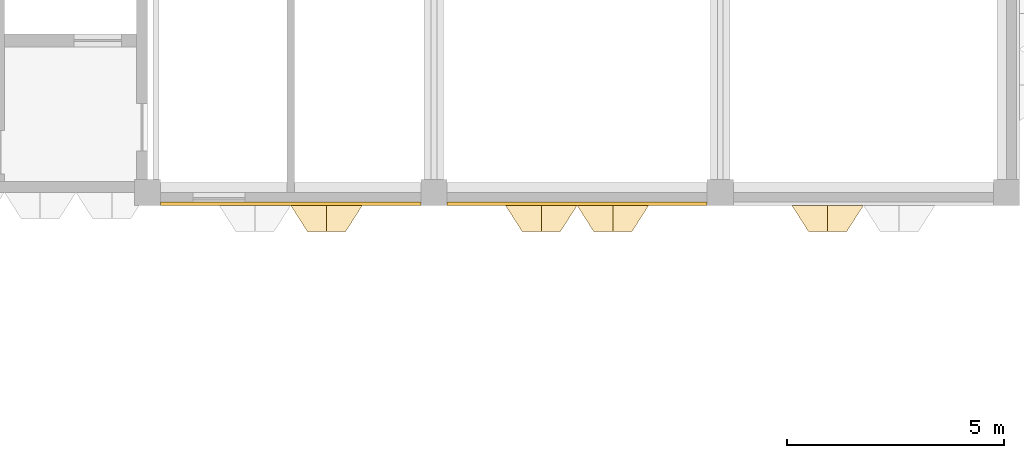
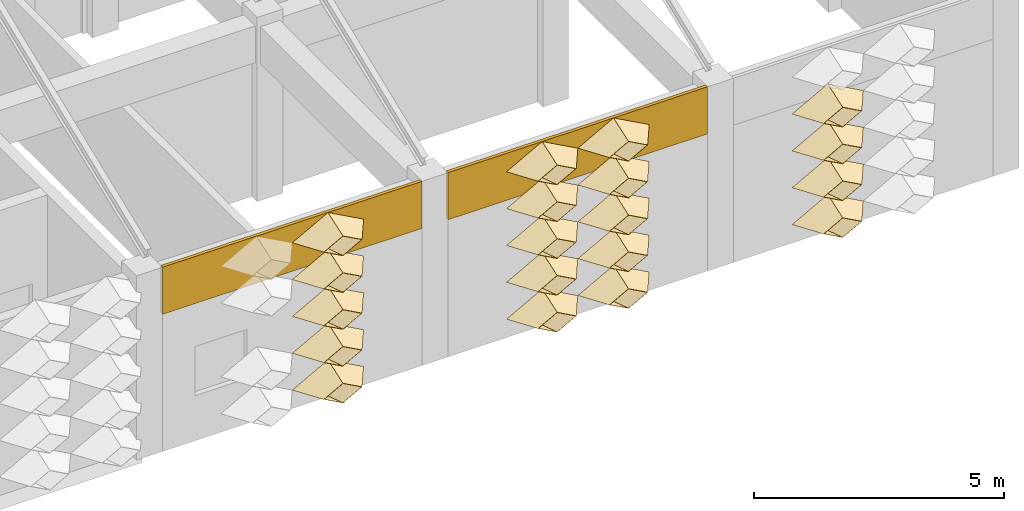
# One storey, part 71 of 102: 21 coverings.
"""IFC4 building model written with IfcOpenShell, lengths in metres."""

import ifcopenshell
import ifcopenshell.guid

model = None  # the IFC model being written
_history = None  # IfcOwnerHistory: only IFC2X3 demands one
_inside = {}  # id of a spatial element -> (the spatial element, [elements in it])
_under = {}  # id of a project, library or spatial element -> (it, [spatial elements below it])
_declared = {}  # id of a project -> (the project, [libraries it declares])
_typed = {}  # id of a type object -> (the type object, [elements of that type])
_made_of = {}  # id of a material, layer set ... -> (it, [elements and type objects made of it])


def new_model(schema):
    """Start an empty IFC model of exactly this schema.

    Asked for "IFC4X3", IfcOpenShell would pick the latest addendum, in which some entities
    have other attributes; the version numbers below select the first issue.
    IFC2X3 requires an IfcOwnerHistory on every rooted entity: one is made here for all.
    """
    global model, _history
    if schema == "IFC4X3":
        model = ifcopenshell.file(schema_version=(4, 3, 0, 0))
    else:
        model = ifcopenshell.file(schema=schema)
    _inside.clear()
    _under.clear()
    _declared.clear()
    _typed.clear()
    _made_of.clear()
    _history = None
    if model.schema == "IFC2X3":
        org = make("IfcOrganization", Name="unknown")
        user = make(
            "IfcPersonAndOrganization",
            ThePerson=make("IfcPerson", FamilyName="unknown"),
            TheOrganization=org,
        )
        app = make(
            "IfcApplication",
            ApplicationDeveloper=org,
            Version="unknown",
            ApplicationFullName="unknown",
            ApplicationIdentifier="unknown",
        )
        _history = make(
            "IfcOwnerHistory",
            OwningUser=user,
            OwningApplication=app,
            ChangeAction="ADDED",
            CreationDate=0,
        )
    return model


def make(cls, **values):
    """One entity of the class cls with the attributes given. An attribute that is None is left unset."""
    return model.create_entity(
        cls, **{name: value for name, value in values.items() if value is not None}
    )


def entity(cls, *values):
    """Any entity or typed value of the class cls, its attributes in the order of the schema. None: left unset."""
    e = model.create_entity(cls)
    for i, value in enumerate(values):
        if value is not None:
            e[i] = value
    return e


def rooted(cls, **values):
    """An entity with a GlobalId (a new one), such as an element, a storey or a relation."""
    return make(cls, GlobalId=ifcopenshell.guid.new(), OwnerHistory=_history, **values)


def si_unit(unit_type, name, prefix=None):
    """IfcSIUnit, for example si_unit("LENGTHUNIT", "METRE", prefix="MILLI")."""
    return make("IfcSIUnit", UnitType=unit_type, Prefix=prefix, Name=name)


def assignment(units):
    """IfcUnitAssignment: the units of a project."""
    return None if units is None else make("IfcUnitAssignment", Units=units)


def point(xyz):
    """IfcCartesianPoint."""
    return None if xyz is None else make("IfcCartesianPoint", Coordinates=xyz)


def direction(xyz):
    """IfcDirection."""
    return None if xyz is None else make("IfcDirection", DirectionRatios=xyz)


def frame(location, z_axis=None, x_axis=None):
    """IfcAxis2Placement3D, a coordinate frame: its origin and axes. An axis left out is left unset."""
    return make(
        "IfcAxis2Placement3D",
        Location=point(location),
        Axis=direction(z_axis),
        RefDirection=direction(x_axis),
    )


def frame_2d(location, x_axis=None):
    """IfcAxis2Placement2D, a coordinate frame in the plane: its origin and x axis."""
    return make(
        "IfcAxis2Placement2D", Location=point(location), RefDirection=direction(x_axis)
    )


def origin():
    """The frame at (0, 0, 0) with its axes left unset."""
    return frame((0.0, 0.0, 0.0))


def place(relative_to, where):
    """IfcLocalPlacement: puts the frame where relative to a parent placement (None: the world)."""
    return make(
        "IfcLocalPlacement", PlacementRelTo=relative_to, RelativePlacement=where
    )


def context(
    kind, dimensions, precision=None, world=None, true_north=None, identifier=None
):
    """IfcGeometricRepresentationContext, for example the 3D "Model" context."""
    return make(
        "IfcGeometricRepresentationContext",
        ContextIdentifier=identifier,
        ContextType=kind,
        CoordinateSpaceDimension=dimensions,
        Precision=precision,
        WorldCoordinateSystem=world,
        TrueNorth=true_north,
    )


def subcontext(parent, identifier, kind, view, scale=None):
    """IfcGeometricRepresentationSubContext, for example "Body" below "Model"."""
    return make(
        "IfcGeometricRepresentationSubContext",
        ContextIdentifier=identifier,
        ContextType=kind,
        ParentContext=parent,
        TargetScale=scale,
        TargetView=view,
    )


def project(units=None, contexts=None):
    """IfcProject with its units and contexts."""
    return rooted(
        "IfcProject",
        Name="project",
        RepresentationContexts=contexts,
        UnitsInContext=assignment(units),
    )


def spatial(cls, under=None, at=None, **own):
    """A site, building, storey or space (cls), placed at a placement, below another one or the project."""
    s = rooted(cls, ObjectPlacement=at, **own)
    if under is not None:
        _under.setdefault(under.id(), (under, []))[1].append(s)
    return s


def profile(cls, at=None, kind="AREA", **sizes):
    """A parametric profile (cls). Its sizes go by their IFC names, for example OverallWidth=200.0."""
    return make(cls, ProfileType=kind, Position=at, **sizes)


def rectangle(**sizes):
    """IfcRectangleProfileDef."""
    return profile("IfcRectangleProfileDef", **sizes)


def extrude(swept, where, along, depth):
    """IfcExtrudedAreaSolid: the profile swept, set in the frame where, extruded along a direction by depth."""
    return make(
        "IfcExtrudedAreaSolid",
        SweptArea=swept,
        Position=where,
        ExtrudedDirection=direction(along),
        Depth=depth,
    )


def shape(context_of_items, identifier, shape_type, items):
    """IfcShapeRepresentation: the items that make up one representation, for example the "Body"."""
    return make(
        "IfcShapeRepresentation",
        ContextOfItems=context_of_items,
        RepresentationIdentifier=identifier,
        RepresentationType=shape_type,
        Items=items,
    )


def material(Name=None, Category=None):
    """IfcMaterial."""
    return make("IfcMaterial", Name=Name, Category=Category)


def layer(
    of_material, thickness, ventilated=None, Name=None, Category=None, Priority=None
):
    """IfcMaterialLayer: one layer of a wall or slab, of a material (None: an air gap)."""
    return make(
        "IfcMaterialLayer",
        Material=of_material,
        LayerThickness=thickness,
        IsVentilated=ventilated,
        Name=Name,
        Category=Category,
        Priority=Priority,
    )


def layer_set(layers, Name=None):
    """IfcMaterialLayerSet."""
    return make("IfcMaterialLayerSet", MaterialLayers=layers, LayerSetName=Name)


def made_of(thing, what):
    """Note that an element or type object is made of a material, layer set ...; save() writes the relation."""
    if what is not None:
        _made_of.setdefault(what.id(), (what, []))[1].append(thing)
    return thing


def type_object(cls, material=None, **own):
    """A type object (cls), such as IfcWallType, which elements share."""
    return made_of(rooted(cls, **own), material)


def element(
    cls,
    number,
    at=None,
    inside=None,
    cuts=None,
    type_object=None,
    material=None,
    context=None,
    identifier="Body",
    shape_type=None,
    held_by="IfcProductDefinitionShape",
    body=None,
    shapes=None,
    **own,
):
    """One element of the class cls, such as IfcWall. Its Tag is "e" and its number.

    at: its placement. inside: the storey or other place that contains it. cuts: it is an
    opening in that element (IfcRelVoidsElement). A single representation is given by context,
    identifier, shape_type and body (its items); several are given by shapes. held_by: the class
    of the entity that holds the representations. save() writes the other relations.
    """
    e = rooted(cls, Tag="e%d" % number, ObjectPlacement=at, **own)
    if body is not None:
        shapes = [shape(context, identifier, shape_type, body)]
    if shapes is not None:
        e.Representation = make(held_by, Representations=shapes)
    if inside is not None:
        _inside.setdefault(inside.id(), (inside, []))[1].append(e)
    if cuts is not None:
        rooted(
            "IfcRelVoidsElement", RelatingBuildingElement=cuts, RelatedOpeningElement=e
        )
    if type_object is not None:
        _typed.setdefault(type_object.id(), (type_object, []))[1].append(e)
    return made_of(e, material)


def aggregate(whole, parts):
    """IfcRelAggregates: a whole, such as a stair, and the parts it consists of."""
    return rooted("IfcRelAggregates", RelatingObject=whole, RelatedObjects=parts)


def save(model, path):
    """Write the relations noted so far, then the file.

    IfcRelAggregates (storeys below a building ...), IfcRelContainedInSpatialStructure (elements
    in a storey), IfcRelDefinesByType, IfcRelAssociatesMaterial and IfcRelDeclares: one each for
    every whole, place, type object, material and project.
    """
    for whole, parts in _under.values():
        aggregate(whole, parts)
    for where, things in _inside.values():
        rooted(
            "IfcRelContainedInSpatialStructure",
            RelatedElements=things,
            RelatingStructure=where,
        )
    for kind, things in _typed.values():
        rooted("IfcRelDefinesByType", RelatedObjects=things, RelatingType=kind)
    for what, things in _made_of.values():
        rooted("IfcRelAssociatesMaterial", RelatedObjects=things, RelatingMaterial=what)
    for by, libraries in _declared.values():
        rooted("IfcRelDeclares", RelatingContext=by, RelatedDefinitions=libraries)
    model.write(path)


model = new_model("IFC4")

# Units and contexts
model_context = context("Model", 3, precision=1e-05, world=origin(), true_north=direction((0.0, 1.0)))
body_context = subcontext(model_context, "Body", "Model", "MODEL_VIEW")
ifc_project = project(units=[si_unit("LENGTHUNIT", "METRE"), si_unit("AREAUNIT", "SQUARE_METRE"), si_unit("VOLUMEUNIT", "CUBIC_METRE"), si_unit("PLANEANGLEUNIT", "RADIAN"), si_unit("MASSUNIT", "GRAM", prefix="KILO")], contexts=[model_context])

# Site, building, storey
site_placement = place(None, origin())
site = spatial("IfcSite", under=ifc_project, at=site_placement, CompositionType="ELEMENT")
building_placement = place(site_placement, origin())
building = spatial("IfcBuilding", under=site, at=building_placement, Name="Lantern Court Research Institute", CompositionType="ELEMENT")
storey_placement = place(building_placement, frame((0.0, 0.0, 9.89990234375)))
storey = spatial("IfcBuildingStorey", under=building, at=storey_placement, Name="L02", CompositionType="ELEMENT", Elevation=9.89990234375)

# Coverings
ifc_material_1 = material(Name="Aluminium composite panel with mineral wool insulation", Category="aluminium")
ifc_layer_1 = layer(ifc_material_1, 0.074951171875)
ifc_layer_set_1 = layer_set([ifc_layer_1], Name="Aluminium composite panel with mineral wool insulation")
covering_type_1 = type_object("IfcCoveringType", Name="Edge fascia panel 75 aluminium faced", PredefinedType="CLADDING", material=ifc_layer_set_1)
for number, where, z_axis, x_axis, name in (
    (1, (12.89990234375, 49.237548828125, 3.35009765625), (0.0, 0.0, 1.0), (-1.0, 0.0, 0.0), "Edge fascia V3S L02 01"),
    (2, (19.5, 49.237548828125, 3.35009765625), (0.0, 0.0, 1.0), (-1.0, 0.0, 0.0), "Edge fascia V3S L02 02"),
):
    element("IfcCovering", number, at=place(storey_placement, frame(where, z_axis=z_axis, x_axis=x_axis)), inside=storey, type_object=covering_type_1, Name=name, PredefinedType="CLADDING", context=body_context, shape_type="SweptSolid", body=[
        extrude(rectangle(XDim=6.0, YDim=0.074951171875, at=frame_2d((3.0, 0.0))), origin(), (0.0, 0.0, 1.0), 1.14990234375),
    ])
ifc_material_2 = material(Name="Anodised aluminium", Category="aluminium")
ifc_layer_2 = layer(ifc_material_2, 0.01611328125)
ifc_layer_set_2 = layer_set([ifc_layer_2], Name="Anodised aluminium")
covering_type_2 = type_object("IfcCoveringType", Name="Fin cassette 1650 x 900 x 600 aluminium", PredefinedType="CLADDING", material=ifc_layer_set_2)
covering_1_placement = place(storey_placement, frame((10.72509765625, 49.199951171875, 0.4501953125), z_axis=(0.0, -1.0, 0.0), x_axis=(1.0, 0.0, 0.0)))
cartesian_point_1 = entity("IfcCartesianPoint", [0.824951171875, 0.0])
cartesian_point_2 = entity("IfcCartesianPoint", [0.79150390625, 0.0])
cartesian_point_3 = entity("IfcCartesianPoint", [0.44189453125, 0.0])
cartesian_point_4 = entity("IfcCartesianPoint", [0.43359375, 0.0])
element("IfcCovering", 3, at=covering_1_placement, inside=storey, type_object=covering_type_2, Name="Fin cassette V3S-L02 1.7", PredefinedType="CLADDING", context=body_context, shape_type="SweptSolid", body=[
    entity("IfcExtrudedAreaSolidTapered", entity("IfcArbitraryProfileDefWithVoids", "AREA", None, entity("IfcPolyline", [cartesian_point_1, entity("IfcCartesianPoint", [0.0, 0.449951171875]), entity("IfcCartesianPoint", [-0.824951171875, 0.0]), entity("IfcCartesianPoint", [0.0, -0.449951171875]), cartesian_point_1]), [entity("IfcPolyline", [cartesian_point_2, entity("IfcCartesianPoint", [0.0, 0.431884765625]), entity("IfcCartesianPoint", [-0.79150390625, 0.0]), entity("IfcCartesianPoint", [0.0, -0.431884765625]), cartesian_point_2])]), entity("IfcAxis2Placement3D", entity("IfcCartesianPoint", [0.0, 0.0, 0.0])), entity("IfcDirection", [0.0, 0.0, 1.0]), 0.60009765625, entity("IfcArbitraryProfileDefWithVoids", "AREA", None, entity("IfcPolyline", [cartesian_point_3, entity("IfcCartesianPoint", [0.0, 0.240966796875]), entity("IfcCartesianPoint", [-0.44189453125, 0.0]), entity("IfcCartesianPoint", [0.0, -0.240966796875]), cartesian_point_3]), [entity("IfcPolyline", [cartesian_point_4, entity("IfcCartesianPoint", [0.0, 0.236572265625]), entity("IfcCartesianPoint", [-0.43359375, 0.0]), entity("IfcCartesianPoint", [0.0, -0.236572265625]), cartesian_point_4])])),
])
covering_2_placement = place(storey_placement, frame((15.675048828125, 49.199951171875, 0.4501953125), z_axis=(0.0, -1.0, 0.0), x_axis=(1.0, 0.0, 0.0)))
cartesian_point_5 = entity("IfcCartesianPoint", [0.824951171875, 0.0])
cartesian_point_6 = entity("IfcCartesianPoint", [0.79150390625, 0.0])
cartesian_point_7 = entity("IfcCartesianPoint", [0.44189453125, 0.0])
cartesian_point_8 = entity("IfcCartesianPoint", [0.43359375, 0.0])
element("IfcCovering", 4, at=covering_2_placement, inside=storey, type_object=covering_type_2, Name="Fin cassette V3S-L02 1.10", PredefinedType="CLADDING", context=body_context, shape_type="SweptSolid", body=[
    entity("IfcExtrudedAreaSolidTapered", entity("IfcArbitraryProfileDefWithVoids", "AREA", None, entity("IfcPolyline", [cartesian_point_5, entity("IfcCartesianPoint", [0.0, 0.449951171875]), entity("IfcCartesianPoint", [-0.824951171875, 0.0]), entity("IfcCartesianPoint", [0.0, -0.449951171875]), cartesian_point_5]), [entity("IfcPolyline", [cartesian_point_6, entity("IfcCartesianPoint", [0.0, 0.431884765625]), entity("IfcCartesianPoint", [-0.79150390625, 0.0]), entity("IfcCartesianPoint", [0.0, -0.431884765625]), cartesian_point_6])]), entity("IfcAxis2Placement3D", entity("IfcCartesianPoint", [0.0, 0.0, 0.0])), entity("IfcDirection", [0.0, 0.0, 1.0]), 0.60009765625, entity("IfcArbitraryProfileDefWithVoids", "AREA", None, entity("IfcPolyline", [cartesian_point_7, entity("IfcCartesianPoint", [0.0, 0.240966796875]), entity("IfcCartesianPoint", [-0.44189453125, 0.0]), entity("IfcCartesianPoint", [0.0, -0.240966796875]), cartesian_point_7]), [entity("IfcPolyline", [cartesian_point_8, entity("IfcCartesianPoint", [0.0, 0.236572265625]), entity("IfcCartesianPoint", [-0.43359375, 0.0]), entity("IfcCartesianPoint", [0.0, -0.236572265625]), cartesian_point_8])])),
])
covering_3_placement = place(storey_placement, frame((17.324951171875, 49.199951171875, 0.4501953125), z_axis=(0.0, -1.0, 0.0), x_axis=(1.0, 0.0, 0.0)))
cartesian_point_9 = entity("IfcCartesianPoint", [0.824951171875, 0.0])
cartesian_point_10 = entity("IfcCartesianPoint", [0.79150390625, 0.0])
cartesian_point_11 = entity("IfcCartesianPoint", [0.44189453125, 0.0])
cartesian_point_12 = entity("IfcCartesianPoint", [0.43359375, 0.0])
element("IfcCovering", 5, at=covering_3_placement, inside=storey, type_object=covering_type_2, Name="Fin cassette V3S-L02 1.11", PredefinedType="CLADDING", context=body_context, shape_type="SweptSolid", body=[
    entity("IfcExtrudedAreaSolidTapered", entity("IfcArbitraryProfileDefWithVoids", "AREA", None, entity("IfcPolyline", [cartesian_point_9, entity("IfcCartesianPoint", [0.0, 0.449951171875]), entity("IfcCartesianPoint", [-0.824951171875, 0.0]), entity("IfcCartesianPoint", [0.0, -0.449951171875]), cartesian_point_9]), [entity("IfcPolyline", [cartesian_point_10, entity("IfcCartesianPoint", [0.0, 0.431884765625]), entity("IfcCartesianPoint", [-0.79150390625, 0.0]), entity("IfcCartesianPoint", [0.0, -0.431884765625]), cartesian_point_10])]), entity("IfcAxis2Placement3D", entity("IfcCartesianPoint", [0.0, 0.0, 0.0])), entity("IfcDirection", [0.0, 0.0, 1.0]), 0.60009765625, entity("IfcArbitraryProfileDefWithVoids", "AREA", None, entity("IfcPolyline", [cartesian_point_11, entity("IfcCartesianPoint", [0.0, 0.240966796875]), entity("IfcCartesianPoint", [-0.44189453125, 0.0]), entity("IfcCartesianPoint", [0.0, -0.240966796875]), cartesian_point_11]), [entity("IfcPolyline", [cartesian_point_12, entity("IfcCartesianPoint", [0.0, 0.236572265625]), entity("IfcCartesianPoint", [-0.43359375, 0.0]), entity("IfcCartesianPoint", [0.0, -0.236572265625]), cartesian_point_12])])),
])
covering_4_placement = place(storey_placement, frame((22.27490234375, 49.199951171875, 0.4501953125), z_axis=(0.0, -1.0, 0.0), x_axis=(1.0, 0.0, 0.0)))
cartesian_point_13 = entity("IfcCartesianPoint", [0.824951171875, 0.0])
cartesian_point_14 = entity("IfcCartesianPoint", [0.79150390625, 0.0])
cartesian_point_15 = entity("IfcCartesianPoint", [0.44189453125, 0.0])
cartesian_point_16 = entity("IfcCartesianPoint", [0.43359375, 0.0])
element("IfcCovering", 6, at=covering_4_placement, inside=storey, type_object=covering_type_2, Name="Fin cassette V3S-L02 1.14", PredefinedType="CLADDING", context=body_context, shape_type="SweptSolid", body=[
    entity("IfcExtrudedAreaSolidTapered", entity("IfcArbitraryProfileDefWithVoids", "AREA", None, entity("IfcPolyline", [cartesian_point_13, entity("IfcCartesianPoint", [0.0, 0.449951171875]), entity("IfcCartesianPoint", [-0.824951171875, 0.0]), entity("IfcCartesianPoint", [0.0, -0.449951171875]), cartesian_point_13]), [entity("IfcPolyline", [cartesian_point_14, entity("IfcCartesianPoint", [0.0, 0.431884765625]), entity("IfcCartesianPoint", [-0.79150390625, 0.0]), entity("IfcCartesianPoint", [0.0, -0.431884765625]), cartesian_point_14])]), entity("IfcAxis2Placement3D", entity("IfcCartesianPoint", [0.0, 0.0, 0.0])), entity("IfcDirection", [0.0, 0.0, 1.0]), 0.60009765625, entity("IfcArbitraryProfileDefWithVoids", "AREA", None, entity("IfcPolyline", [cartesian_point_15, entity("IfcCartesianPoint", [0.0, 0.240966796875]), entity("IfcCartesianPoint", [-0.44189453125, 0.0]), entity("IfcCartesianPoint", [0.0, -0.240966796875]), cartesian_point_15]), [entity("IfcPolyline", [cartesian_point_16, entity("IfcCartesianPoint", [0.0, 0.236572265625]), entity("IfcCartesianPoint", [-0.43359375, 0.0]), entity("IfcCartesianPoint", [0.0, -0.236572265625]), cartesian_point_16])])),
])
covering_5_placement = place(storey_placement, frame((10.72509765625, 49.199951171875, 1.35009765625), z_axis=(0.0, -1.0, 0.0), x_axis=(1.0, 0.0, 0.0)))
cartesian_point_17 = entity("IfcCartesianPoint", [0.824951171875, 0.0])
cartesian_point_18 = entity("IfcCartesianPoint", [0.79150390625, 0.0])
cartesian_point_19 = entity("IfcCartesianPoint", [0.44189453125, 0.0])
cartesian_point_20 = entity("IfcCartesianPoint", [0.43359375, 0.0])
element("IfcCovering", 7, at=covering_5_placement, inside=storey, type_object=covering_type_2, Name="Fin cassette V3S-L02 2.7", PredefinedType="CLADDING", context=body_context, shape_type="SweptSolid", body=[
    entity("IfcExtrudedAreaSolidTapered", entity("IfcArbitraryProfileDefWithVoids", "AREA", None, entity("IfcPolyline", [cartesian_point_17, entity("IfcCartesianPoint", [0.0, 0.449951171875]), entity("IfcCartesianPoint", [-0.824951171875, 0.0]), entity("IfcCartesianPoint", [0.0, -0.449951171875]), cartesian_point_17]), [entity("IfcPolyline", [cartesian_point_18, entity("IfcCartesianPoint", [0.0, 0.431884765625]), entity("IfcCartesianPoint", [-0.79150390625, 0.0]), entity("IfcCartesianPoint", [0.0, -0.431884765625]), cartesian_point_18])]), entity("IfcAxis2Placement3D", entity("IfcCartesianPoint", [0.0, 0.0, 0.0])), entity("IfcDirection", [0.0, 0.0, 1.0]), 0.60009765625, entity("IfcArbitraryProfileDefWithVoids", "AREA", None, entity("IfcPolyline", [cartesian_point_19, entity("IfcCartesianPoint", [0.0, 0.240966796875]), entity("IfcCartesianPoint", [-0.44189453125, 0.0]), entity("IfcCartesianPoint", [0.0, -0.240966796875]), cartesian_point_19]), [entity("IfcPolyline", [cartesian_point_20, entity("IfcCartesianPoint", [0.0, 0.236572265625]), entity("IfcCartesianPoint", [-0.43359375, 0.0]), entity("IfcCartesianPoint", [0.0, -0.236572265625]), cartesian_point_20])])),
])
covering_6_placement = place(storey_placement, frame((15.675048828125, 49.199951171875, 1.35009765625), z_axis=(0.0, -1.0, 0.0), x_axis=(1.0, 0.0, 0.0)))
cartesian_point_21 = entity("IfcCartesianPoint", [0.824951171875, 0.0])
cartesian_point_22 = entity("IfcCartesianPoint", [0.79150390625, 0.0])
cartesian_point_23 = entity("IfcCartesianPoint", [0.44189453125, 0.0])
cartesian_point_24 = entity("IfcCartesianPoint", [0.43359375, 0.0])
element("IfcCovering", 8, at=covering_6_placement, inside=storey, type_object=covering_type_2, Name="Fin cassette V3S-L02 2.10", PredefinedType="CLADDING", context=body_context, shape_type="SweptSolid", body=[
    entity("IfcExtrudedAreaSolidTapered", entity("IfcArbitraryProfileDefWithVoids", "AREA", None, entity("IfcPolyline", [cartesian_point_21, entity("IfcCartesianPoint", [0.0, 0.449951171875]), entity("IfcCartesianPoint", [-0.824951171875, 0.0]), entity("IfcCartesianPoint", [0.0, -0.449951171875]), cartesian_point_21]), [entity("IfcPolyline", [cartesian_point_22, entity("IfcCartesianPoint", [0.0, 0.431884765625]), entity("IfcCartesianPoint", [-0.79150390625, 0.0]), entity("IfcCartesianPoint", [0.0, -0.431884765625]), cartesian_point_22])]), entity("IfcAxis2Placement3D", entity("IfcCartesianPoint", [0.0, 0.0, 0.0])), entity("IfcDirection", [0.0, 0.0, 1.0]), 0.60009765625, entity("IfcArbitraryProfileDefWithVoids", "AREA", None, entity("IfcPolyline", [cartesian_point_23, entity("IfcCartesianPoint", [0.0, 0.240966796875]), entity("IfcCartesianPoint", [-0.44189453125, 0.0]), entity("IfcCartesianPoint", [0.0, -0.240966796875]), cartesian_point_23]), [entity("IfcPolyline", [cartesian_point_24, entity("IfcCartesianPoint", [0.0, 0.236572265625]), entity("IfcCartesianPoint", [-0.43359375, 0.0]), entity("IfcCartesianPoint", [0.0, -0.236572265625]), cartesian_point_24])])),
])
covering_7_placement = place(storey_placement, frame((17.324951171875, 49.199951171875, 1.35009765625), z_axis=(0.0, -1.0, 0.0), x_axis=(1.0, 0.0, 0.0)))
cartesian_point_25 = entity("IfcCartesianPoint", [0.824951171875, 0.0])
cartesian_point_26 = entity("IfcCartesianPoint", [0.79150390625, 0.0])
cartesian_point_27 = entity("IfcCartesianPoint", [0.44189453125, 0.0])
cartesian_point_28 = entity("IfcCartesianPoint", [0.43359375, 0.0])
element("IfcCovering", 9, at=covering_7_placement, inside=storey, type_object=covering_type_2, Name="Fin cassette V3S-L02 2.11", PredefinedType="CLADDING", context=body_context, shape_type="SweptSolid", body=[
    entity("IfcExtrudedAreaSolidTapered", entity("IfcArbitraryProfileDefWithVoids", "AREA", None, entity("IfcPolyline", [cartesian_point_25, entity("IfcCartesianPoint", [0.0, 0.449951171875]), entity("IfcCartesianPoint", [-0.824951171875, 0.0]), entity("IfcCartesianPoint", [0.0, -0.449951171875]), cartesian_point_25]), [entity("IfcPolyline", [cartesian_point_26, entity("IfcCartesianPoint", [0.0, 0.431884765625]), entity("IfcCartesianPoint", [-0.79150390625, 0.0]), entity("IfcCartesianPoint", [0.0, -0.431884765625]), cartesian_point_26])]), entity("IfcAxis2Placement3D", entity("IfcCartesianPoint", [0.0, 0.0, 0.0])), entity("IfcDirection", [0.0, 0.0, 1.0]), 0.60009765625, entity("IfcArbitraryProfileDefWithVoids", "AREA", None, entity("IfcPolyline", [cartesian_point_27, entity("IfcCartesianPoint", [0.0, 0.240966796875]), entity("IfcCartesianPoint", [-0.44189453125, 0.0]), entity("IfcCartesianPoint", [0.0, -0.240966796875]), cartesian_point_27]), [entity("IfcPolyline", [cartesian_point_28, entity("IfcCartesianPoint", [0.0, 0.236572265625]), entity("IfcCartesianPoint", [-0.43359375, 0.0]), entity("IfcCartesianPoint", [0.0, -0.236572265625]), cartesian_point_28])])),
])
covering_8_placement = place(storey_placement, frame((22.27490234375, 49.199951171875, 1.35009765625), z_axis=(0.0, -1.0, 0.0), x_axis=(1.0, 0.0, 0.0)))
cartesian_point_29 = entity("IfcCartesianPoint", [0.824951171875, 0.0])
cartesian_point_30 = entity("IfcCartesianPoint", [0.79150390625, 0.0])
cartesian_point_31 = entity("IfcCartesianPoint", [0.44189453125, 0.0])
cartesian_point_32 = entity("IfcCartesianPoint", [0.43359375, 0.0])
element("IfcCovering", 10, at=covering_8_placement, inside=storey, type_object=covering_type_2, Name="Fin cassette V3S-L02 2.14", PredefinedType="CLADDING", context=body_context, shape_type="SweptSolid", body=[
    entity("IfcExtrudedAreaSolidTapered", entity("IfcArbitraryProfileDefWithVoids", "AREA", None, entity("IfcPolyline", [cartesian_point_29, entity("IfcCartesianPoint", [0.0, 0.449951171875]), entity("IfcCartesianPoint", [-0.824951171875, 0.0]), entity("IfcCartesianPoint", [0.0, -0.449951171875]), cartesian_point_29]), [entity("IfcPolyline", [cartesian_point_30, entity("IfcCartesianPoint", [0.0, 0.431884765625]), entity("IfcCartesianPoint", [-0.79150390625, 0.0]), entity("IfcCartesianPoint", [0.0, -0.431884765625]), cartesian_point_30])]), entity("IfcAxis2Placement3D", entity("IfcCartesianPoint", [0.0, 0.0, 0.0])), entity("IfcDirection", [0.0, 0.0, 1.0]), 0.60009765625, entity("IfcArbitraryProfileDefWithVoids", "AREA", None, entity("IfcPolyline", [cartesian_point_31, entity("IfcCartesianPoint", [0.0, 0.240966796875]), entity("IfcCartesianPoint", [-0.44189453125, 0.0]), entity("IfcCartesianPoint", [0.0, -0.240966796875]), cartesian_point_31]), [entity("IfcPolyline", [cartesian_point_32, entity("IfcCartesianPoint", [0.0, 0.236572265625]), entity("IfcCartesianPoint", [-0.43359375, 0.0]), entity("IfcCartesianPoint", [0.0, -0.236572265625]), cartesian_point_32])])),
])
covering_9_placement = place(storey_placement, frame((10.72509765625, 49.199951171875, 2.25), z_axis=(0.0, -1.0, 0.0), x_axis=(1.0, 0.0, 0.0)))
cartesian_point_33 = entity("IfcCartesianPoint", [0.824951171875, 0.0])
cartesian_point_34 = entity("IfcCartesianPoint", [0.79150390625, 0.0])
cartesian_point_35 = entity("IfcCartesianPoint", [0.44189453125, 0.0])
cartesian_point_36 = entity("IfcCartesianPoint", [0.43359375, 0.0])
element("IfcCovering", 11, at=covering_9_placement, inside=storey, type_object=covering_type_2, Name="Fin cassette V3S-L02 3.7", PredefinedType="CLADDING", context=body_context, shape_type="SweptSolid", body=[
    entity("IfcExtrudedAreaSolidTapered", entity("IfcArbitraryProfileDefWithVoids", "AREA", None, entity("IfcPolyline", [cartesian_point_33, entity("IfcCartesianPoint", [0.0, 0.449951171875]), entity("IfcCartesianPoint", [-0.824951171875, 0.0]), entity("IfcCartesianPoint", [0.0, -0.449951171875]), cartesian_point_33]), [entity("IfcPolyline", [cartesian_point_34, entity("IfcCartesianPoint", [0.0, 0.431884765625]), entity("IfcCartesianPoint", [-0.79150390625, 0.0]), entity("IfcCartesianPoint", [0.0, -0.431884765625]), cartesian_point_34])]), entity("IfcAxis2Placement3D", entity("IfcCartesianPoint", [0.0, 0.0, 0.0])), entity("IfcDirection", [0.0, 0.0, 1.0]), 0.60009765625, entity("IfcArbitraryProfileDefWithVoids", "AREA", None, entity("IfcPolyline", [cartesian_point_35, entity("IfcCartesianPoint", [0.0, 0.240966796875]), entity("IfcCartesianPoint", [-0.44189453125, 0.0]), entity("IfcCartesianPoint", [0.0, -0.240966796875]), cartesian_point_35]), [entity("IfcPolyline", [cartesian_point_36, entity("IfcCartesianPoint", [0.0, 0.236572265625]), entity("IfcCartesianPoint", [-0.43359375, 0.0]), entity("IfcCartesianPoint", [0.0, -0.236572265625]), cartesian_point_36])])),
])
covering_10_placement = place(storey_placement, frame((15.675048828125, 49.199951171875, 2.25), z_axis=(0.0, -1.0, 0.0), x_axis=(1.0, 0.0, 0.0)))
cartesian_point_37 = entity("IfcCartesianPoint", [0.824951171875, 0.0])
cartesian_point_38 = entity("IfcCartesianPoint", [0.79150390625, 0.0])
cartesian_point_39 = entity("IfcCartesianPoint", [0.44189453125, 0.0])
cartesian_point_40 = entity("IfcCartesianPoint", [0.43359375, 0.0])
element("IfcCovering", 12, at=covering_10_placement, inside=storey, type_object=covering_type_2, Name="Fin cassette V3S-L02 3.10", PredefinedType="CLADDING", context=body_context, shape_type="SweptSolid", body=[
    entity("IfcExtrudedAreaSolidTapered", entity("IfcArbitraryProfileDefWithVoids", "AREA", None, entity("IfcPolyline", [cartesian_point_37, entity("IfcCartesianPoint", [0.0, 0.449951171875]), entity("IfcCartesianPoint", [-0.824951171875, 0.0]), entity("IfcCartesianPoint", [0.0, -0.449951171875]), cartesian_point_37]), [entity("IfcPolyline", [cartesian_point_38, entity("IfcCartesianPoint", [0.0, 0.431884765625]), entity("IfcCartesianPoint", [-0.79150390625, 0.0]), entity("IfcCartesianPoint", [0.0, -0.431884765625]), cartesian_point_38])]), entity("IfcAxis2Placement3D", entity("IfcCartesianPoint", [0.0, 0.0, 0.0])), entity("IfcDirection", [0.0, 0.0, 1.0]), 0.60009765625, entity("IfcArbitraryProfileDefWithVoids", "AREA", None, entity("IfcPolyline", [cartesian_point_39, entity("IfcCartesianPoint", [0.0, 0.240966796875]), entity("IfcCartesianPoint", [-0.44189453125, 0.0]), entity("IfcCartesianPoint", [0.0, -0.240966796875]), cartesian_point_39]), [entity("IfcPolyline", [cartesian_point_40, entity("IfcCartesianPoint", [0.0, 0.236572265625]), entity("IfcCartesianPoint", [-0.43359375, 0.0]), entity("IfcCartesianPoint", [0.0, -0.236572265625]), cartesian_point_40])])),
])
covering_11_placement = place(storey_placement, frame((17.324951171875, 49.199951171875, 2.25), z_axis=(0.0, -1.0, 0.0), x_axis=(1.0, 0.0, 0.0)))
cartesian_point_41 = entity("IfcCartesianPoint", [0.824951171875, 0.0])
cartesian_point_42 = entity("IfcCartesianPoint", [0.79150390625, 0.0])
cartesian_point_43 = entity("IfcCartesianPoint", [0.44189453125, 0.0])
cartesian_point_44 = entity("IfcCartesianPoint", [0.43359375, 0.0])
element("IfcCovering", 13, at=covering_11_placement, inside=storey, type_object=covering_type_2, Name="Fin cassette V3S-L02 3.11", PredefinedType="CLADDING", context=body_context, shape_type="SweptSolid", body=[
    entity("IfcExtrudedAreaSolidTapered", entity("IfcArbitraryProfileDefWithVoids", "AREA", None, entity("IfcPolyline", [cartesian_point_41, entity("IfcCartesianPoint", [0.0, 0.449951171875]), entity("IfcCartesianPoint", [-0.824951171875, 0.0]), entity("IfcCartesianPoint", [0.0, -0.449951171875]), cartesian_point_41]), [entity("IfcPolyline", [cartesian_point_42, entity("IfcCartesianPoint", [0.0, 0.431884765625]), entity("IfcCartesianPoint", [-0.79150390625, 0.0]), entity("IfcCartesianPoint", [0.0, -0.431884765625]), cartesian_point_42])]), entity("IfcAxis2Placement3D", entity("IfcCartesianPoint", [0.0, 0.0, 0.0])), entity("IfcDirection", [0.0, 0.0, 1.0]), 0.60009765625, entity("IfcArbitraryProfileDefWithVoids", "AREA", None, entity("IfcPolyline", [cartesian_point_43, entity("IfcCartesianPoint", [0.0, 0.240966796875]), entity("IfcCartesianPoint", [-0.44189453125, 0.0]), entity("IfcCartesianPoint", [0.0, -0.240966796875]), cartesian_point_43]), [entity("IfcPolyline", [cartesian_point_44, entity("IfcCartesianPoint", [0.0, 0.236572265625]), entity("IfcCartesianPoint", [-0.43359375, 0.0]), entity("IfcCartesianPoint", [0.0, -0.236572265625]), cartesian_point_44])])),
])
covering_12_placement = place(storey_placement, frame((22.27490234375, 49.199951171875, 2.25), z_axis=(0.0, -1.0, 0.0), x_axis=(1.0, 0.0, 0.0)))
cartesian_point_45 = entity("IfcCartesianPoint", [0.824951171875, 0.0])
cartesian_point_46 = entity("IfcCartesianPoint", [0.79150390625, 0.0])
cartesian_point_47 = entity("IfcCartesianPoint", [0.44189453125, 0.0])
cartesian_point_48 = entity("IfcCartesianPoint", [0.43359375, 0.0])
element("IfcCovering", 14, at=covering_12_placement, inside=storey, type_object=covering_type_2, Name="Fin cassette V3S-L02 3.14", PredefinedType="CLADDING", context=body_context, shape_type="SweptSolid", body=[
    entity("IfcExtrudedAreaSolidTapered", entity("IfcArbitraryProfileDefWithVoids", "AREA", None, entity("IfcPolyline", [cartesian_point_45, entity("IfcCartesianPoint", [0.0, 0.449951171875]), entity("IfcCartesianPoint", [-0.824951171875, 0.0]), entity("IfcCartesianPoint", [0.0, -0.449951171875]), cartesian_point_45]), [entity("IfcPolyline", [cartesian_point_46, entity("IfcCartesianPoint", [0.0, 0.431884765625]), entity("IfcCartesianPoint", [-0.79150390625, 0.0]), entity("IfcCartesianPoint", [0.0, -0.431884765625]), cartesian_point_46])]), entity("IfcAxis2Placement3D", entity("IfcCartesianPoint", [0.0, 0.0, 0.0])), entity("IfcDirection", [0.0, 0.0, 1.0]), 0.60009765625, entity("IfcArbitraryProfileDefWithVoids", "AREA", None, entity("IfcPolyline", [cartesian_point_47, entity("IfcCartesianPoint", [0.0, 0.240966796875]), entity("IfcCartesianPoint", [-0.44189453125, 0.0]), entity("IfcCartesianPoint", [0.0, -0.240966796875]), cartesian_point_47]), [entity("IfcPolyline", [cartesian_point_48, entity("IfcCartesianPoint", [0.0, 0.236572265625]), entity("IfcCartesianPoint", [-0.43359375, 0.0]), entity("IfcCartesianPoint", [0.0, -0.236572265625]), cartesian_point_48])])),
])
covering_13_placement = place(storey_placement, frame((10.72509765625, 49.199951171875, 3.150146484375), z_axis=(0.0, -1.0, 0.0), x_axis=(1.0, 0.0, 0.0)))
cartesian_point_49 = entity("IfcCartesianPoint", [0.824951171875, 0.0])
cartesian_point_50 = entity("IfcCartesianPoint", [0.79150390625, 0.0])
cartesian_point_51 = entity("IfcCartesianPoint", [0.44189453125, 0.0])
cartesian_point_52 = entity("IfcCartesianPoint", [0.43359375, 0.0])
element("IfcCovering", 15, at=covering_13_placement, inside=storey, type_object=covering_type_2, Name="Fin cassette V3S-L02 4.7", PredefinedType="CLADDING", context=body_context, shape_type="SweptSolid", body=[
    entity("IfcExtrudedAreaSolidTapered", entity("IfcArbitraryProfileDefWithVoids", "AREA", None, entity("IfcPolyline", [cartesian_point_49, entity("IfcCartesianPoint", [0.0, 0.449951171875]), entity("IfcCartesianPoint", [-0.824951171875, 0.0]), entity("IfcCartesianPoint", [0.0, -0.449951171875]), cartesian_point_49]), [entity("IfcPolyline", [cartesian_point_50, entity("IfcCartesianPoint", [0.0, 0.431884765625]), entity("IfcCartesianPoint", [-0.79150390625, 0.0]), entity("IfcCartesianPoint", [0.0, -0.431884765625]), cartesian_point_50])]), entity("IfcAxis2Placement3D", entity("IfcCartesianPoint", [0.0, 0.0, 0.0])), entity("IfcDirection", [0.0, 0.0, 1.0]), 0.60009765625, entity("IfcArbitraryProfileDefWithVoids", "AREA", None, entity("IfcPolyline", [cartesian_point_51, entity("IfcCartesianPoint", [0.0, 0.240966796875]), entity("IfcCartesianPoint", [-0.44189453125, 0.0]), entity("IfcCartesianPoint", [0.0, -0.240966796875]), cartesian_point_51]), [entity("IfcPolyline", [cartesian_point_52, entity("IfcCartesianPoint", [0.0, 0.236572265625]), entity("IfcCartesianPoint", [-0.43359375, 0.0]), entity("IfcCartesianPoint", [0.0, -0.236572265625]), cartesian_point_52])])),
])
covering_14_placement = place(storey_placement, frame((15.675048828125, 49.199951171875, 3.150146484375), z_axis=(0.0, -1.0, 0.0), x_axis=(1.0, 0.0, 0.0)))
cartesian_point_53 = entity("IfcCartesianPoint", [0.824951171875, 0.0])
cartesian_point_54 = entity("IfcCartesianPoint", [0.79150390625, 0.0])
cartesian_point_55 = entity("IfcCartesianPoint", [0.44189453125, 0.0])
cartesian_point_56 = entity("IfcCartesianPoint", [0.43359375, 0.0])
element("IfcCovering", 16, at=covering_14_placement, inside=storey, type_object=covering_type_2, Name="Fin cassette V3S-L02 4.10", PredefinedType="CLADDING", context=body_context, shape_type="SweptSolid", body=[
    entity("IfcExtrudedAreaSolidTapered", entity("IfcArbitraryProfileDefWithVoids", "AREA", None, entity("IfcPolyline", [cartesian_point_53, entity("IfcCartesianPoint", [0.0, 0.449951171875]), entity("IfcCartesianPoint", [-0.824951171875, 0.0]), entity("IfcCartesianPoint", [0.0, -0.449951171875]), cartesian_point_53]), [entity("IfcPolyline", [cartesian_point_54, entity("IfcCartesianPoint", [0.0, 0.431884765625]), entity("IfcCartesianPoint", [-0.79150390625, 0.0]), entity("IfcCartesianPoint", [0.0, -0.431884765625]), cartesian_point_54])]), entity("IfcAxis2Placement3D", entity("IfcCartesianPoint", [0.0, 0.0, 0.0])), entity("IfcDirection", [0.0, 0.0, 1.0]), 0.60009765625, entity("IfcArbitraryProfileDefWithVoids", "AREA", None, entity("IfcPolyline", [cartesian_point_55, entity("IfcCartesianPoint", [0.0, 0.240966796875]), entity("IfcCartesianPoint", [-0.44189453125, 0.0]), entity("IfcCartesianPoint", [0.0, -0.240966796875]), cartesian_point_55]), [entity("IfcPolyline", [cartesian_point_56, entity("IfcCartesianPoint", [0.0, 0.236572265625]), entity("IfcCartesianPoint", [-0.43359375, 0.0]), entity("IfcCartesianPoint", [0.0, -0.236572265625]), cartesian_point_56])])),
])
covering_15_placement = place(storey_placement, frame((17.324951171875, 49.199951171875, 3.150146484375), z_axis=(0.0, -1.0, 0.0), x_axis=(1.0, 0.0, 0.0)))
cartesian_point_57 = entity("IfcCartesianPoint", [0.824951171875, 0.0])
cartesian_point_58 = entity("IfcCartesianPoint", [0.79150390625, 0.0])
cartesian_point_59 = entity("IfcCartesianPoint", [0.44189453125, 0.0])
cartesian_point_60 = entity("IfcCartesianPoint", [0.43359375, 0.0])
element("IfcCovering", 17, at=covering_15_placement, inside=storey, type_object=covering_type_2, Name="Fin cassette V3S-L02 4.11", PredefinedType="CLADDING", context=body_context, shape_type="SweptSolid", body=[
    entity("IfcExtrudedAreaSolidTapered", entity("IfcArbitraryProfileDefWithVoids", "AREA", None, entity("IfcPolyline", [cartesian_point_57, entity("IfcCartesianPoint", [0.0, 0.449951171875]), entity("IfcCartesianPoint", [-0.824951171875, 0.0]), entity("IfcCartesianPoint", [0.0, -0.449951171875]), cartesian_point_57]), [entity("IfcPolyline", [cartesian_point_58, entity("IfcCartesianPoint", [0.0, 0.431884765625]), entity("IfcCartesianPoint", [-0.79150390625, 0.0]), entity("IfcCartesianPoint", [0.0, -0.431884765625]), cartesian_point_58])]), entity("IfcAxis2Placement3D", entity("IfcCartesianPoint", [0.0, 0.0, 0.0])), entity("IfcDirection", [0.0, 0.0, 1.0]), 0.60009765625, entity("IfcArbitraryProfileDefWithVoids", "AREA", None, entity("IfcPolyline", [cartesian_point_59, entity("IfcCartesianPoint", [0.0, 0.240966796875]), entity("IfcCartesianPoint", [-0.44189453125, 0.0]), entity("IfcCartesianPoint", [0.0, -0.240966796875]), cartesian_point_59]), [entity("IfcPolyline", [cartesian_point_60, entity("IfcCartesianPoint", [0.0, 0.236572265625]), entity("IfcCartesianPoint", [-0.43359375, 0.0]), entity("IfcCartesianPoint", [0.0, -0.236572265625]), cartesian_point_60])])),
])
covering_16_placement = place(storey_placement, frame((22.27490234375, 49.199951171875, 3.150146484375), z_axis=(0.0, -1.0, 0.0), x_axis=(1.0, 0.0, 0.0)))
cartesian_point_61 = entity("IfcCartesianPoint", [0.824951171875, 0.0])
cartesian_point_62 = entity("IfcCartesianPoint", [0.79150390625, 0.0])
cartesian_point_63 = entity("IfcCartesianPoint", [0.44189453125, 0.0])
cartesian_point_64 = entity("IfcCartesianPoint", [0.43359375, 0.0])
element("IfcCovering", 18, at=covering_16_placement, inside=storey, type_object=covering_type_2, Name="Fin cassette V3S-L02 4.14", PredefinedType="CLADDING", context=body_context, shape_type="SweptSolid", body=[
    entity("IfcExtrudedAreaSolidTapered", entity("IfcArbitraryProfileDefWithVoids", "AREA", None, entity("IfcPolyline", [cartesian_point_61, entity("IfcCartesianPoint", [0.0, 0.449951171875]), entity("IfcCartesianPoint", [-0.824951171875, 0.0]), entity("IfcCartesianPoint", [0.0, -0.449951171875]), cartesian_point_61]), [entity("IfcPolyline", [cartesian_point_62, entity("IfcCartesianPoint", [0.0, 0.431884765625]), entity("IfcCartesianPoint", [-0.79150390625, 0.0]), entity("IfcCartesianPoint", [0.0, -0.431884765625]), cartesian_point_62])]), entity("IfcAxis2Placement3D", entity("IfcCartesianPoint", [0.0, 0.0, 0.0])), entity("IfcDirection", [0.0, 0.0, 1.0]), 0.60009765625, entity("IfcArbitraryProfileDefWithVoids", "AREA", None, entity("IfcPolyline", [cartesian_point_63, entity("IfcCartesianPoint", [0.0, 0.240966796875]), entity("IfcCartesianPoint", [-0.44189453125, 0.0]), entity("IfcCartesianPoint", [0.0, -0.240966796875]), cartesian_point_63]), [entity("IfcPolyline", [cartesian_point_64, entity("IfcCartesianPoint", [0.0, 0.236572265625]), entity("IfcCartesianPoint", [-0.43359375, 0.0]), entity("IfcCartesianPoint", [0.0, -0.236572265625]), cartesian_point_64])])),
])
covering_17_placement = place(storey_placement, frame((10.72509765625, 49.199951171875, 4.050048828125), z_axis=(0.0, -1.0, 0.0), x_axis=(1.0, 0.0, 0.0)))
cartesian_point_65 = entity("IfcCartesianPoint", [0.824951171875, 0.0])
cartesian_point_66 = entity("IfcCartesianPoint", [0.79150390625, 0.0])
cartesian_point_67 = entity("IfcCartesianPoint", [0.44189453125, 0.0])
cartesian_point_68 = entity("IfcCartesianPoint", [0.43359375, 0.0])
element("IfcCovering", 19, at=covering_17_placement, inside=storey, type_object=covering_type_2, Name="Fin cassette V3S-L02 5.7", PredefinedType="CLADDING", context=body_context, shape_type="SweptSolid", body=[
    entity("IfcExtrudedAreaSolidTapered", entity("IfcArbitraryProfileDefWithVoids", "AREA", None, entity("IfcPolyline", [cartesian_point_65, entity("IfcCartesianPoint", [0.0, 0.449951171875]), entity("IfcCartesianPoint", [-0.824951171875, 0.0]), entity("IfcCartesianPoint", [0.0, -0.449951171875]), cartesian_point_65]), [entity("IfcPolyline", [cartesian_point_66, entity("IfcCartesianPoint", [0.0, 0.431884765625]), entity("IfcCartesianPoint", [-0.79150390625, 0.0]), entity("IfcCartesianPoint", [0.0, -0.431884765625]), cartesian_point_66])]), entity("IfcAxis2Placement3D", entity("IfcCartesianPoint", [0.0, 0.0, 0.0])), entity("IfcDirection", [0.0, 0.0, 1.0]), 0.60009765625, entity("IfcArbitraryProfileDefWithVoids", "AREA", None, entity("IfcPolyline", [cartesian_point_67, entity("IfcCartesianPoint", [0.0, 0.240966796875]), entity("IfcCartesianPoint", [-0.44189453125, 0.0]), entity("IfcCartesianPoint", [0.0, -0.240966796875]), cartesian_point_67]), [entity("IfcPolyline", [cartesian_point_68, entity("IfcCartesianPoint", [0.0, 0.236572265625]), entity("IfcCartesianPoint", [-0.43359375, 0.0]), entity("IfcCartesianPoint", [0.0, -0.236572265625]), cartesian_point_68])])),
])
covering_18_placement = place(storey_placement, frame((15.675048828125, 49.199951171875, 4.050048828125), z_axis=(0.0, -1.0, 0.0), x_axis=(1.0, 0.0, 0.0)))
cartesian_point_69 = entity("IfcCartesianPoint", [0.824951171875, 0.0])
cartesian_point_70 = entity("IfcCartesianPoint", [0.79150390625, 0.0])
cartesian_point_71 = entity("IfcCartesianPoint", [0.44189453125, 0.0])
cartesian_point_72 = entity("IfcCartesianPoint", [0.43359375, 0.0])
element("IfcCovering", 20, at=covering_18_placement, inside=storey, type_object=covering_type_2, Name="Fin cassette V3S-L02 5.10", PredefinedType="CLADDING", context=body_context, shape_type="SweptSolid", body=[
    entity("IfcExtrudedAreaSolidTapered", entity("IfcArbitraryProfileDefWithVoids", "AREA", None, entity("IfcPolyline", [cartesian_point_69, entity("IfcCartesianPoint", [0.0, 0.449951171875]), entity("IfcCartesianPoint", [-0.824951171875, 0.0]), entity("IfcCartesianPoint", [0.0, -0.449951171875]), cartesian_point_69]), [entity("IfcPolyline", [cartesian_point_70, entity("IfcCartesianPoint", [0.0, 0.431884765625]), entity("IfcCartesianPoint", [-0.79150390625, 0.0]), entity("IfcCartesianPoint", [0.0, -0.431884765625]), cartesian_point_70])]), entity("IfcAxis2Placement3D", entity("IfcCartesianPoint", [0.0, 0.0, 0.0])), entity("IfcDirection", [0.0, 0.0, 1.0]), 0.60009765625, entity("IfcArbitraryProfileDefWithVoids", "AREA", None, entity("IfcPolyline", [cartesian_point_71, entity("IfcCartesianPoint", [0.0, 0.240966796875]), entity("IfcCartesianPoint", [-0.44189453125, 0.0]), entity("IfcCartesianPoint", [0.0, -0.240966796875]), cartesian_point_71]), [entity("IfcPolyline", [cartesian_point_72, entity("IfcCartesianPoint", [0.0, 0.236572265625]), entity("IfcCartesianPoint", [-0.43359375, 0.0]), entity("IfcCartesianPoint", [0.0, -0.236572265625]), cartesian_point_72])])),
])
covering_19_placement = place(storey_placement, frame((17.324951171875, 49.199951171875, 4.050048828125), z_axis=(0.0, -1.0, 0.0), x_axis=(1.0, 0.0, 0.0)))
cartesian_point_73 = entity("IfcCartesianPoint", [0.824951171875, 0.0])
cartesian_point_74 = entity("IfcCartesianPoint", [0.79150390625, 0.0])
cartesian_point_75 = entity("IfcCartesianPoint", [0.44189453125, 0.0])
cartesian_point_76 = entity("IfcCartesianPoint", [0.43359375, 0.0])
element("IfcCovering", 21, at=covering_19_placement, inside=storey, type_object=covering_type_2, Name="Fin cassette V3S-L02 5.11", PredefinedType="CLADDING", context=body_context, shape_type="SweptSolid", body=[
    entity("IfcExtrudedAreaSolidTapered", entity("IfcArbitraryProfileDefWithVoids", "AREA", None, entity("IfcPolyline", [cartesian_point_73, entity("IfcCartesianPoint", [0.0, 0.449951171875]), entity("IfcCartesianPoint", [-0.824951171875, 0.0]), entity("IfcCartesianPoint", [0.0, -0.449951171875]), cartesian_point_73]), [entity("IfcPolyline", [cartesian_point_74, entity("IfcCartesianPoint", [0.0, 0.431884765625]), entity("IfcCartesianPoint", [-0.79150390625, 0.0]), entity("IfcCartesianPoint", [0.0, -0.431884765625]), cartesian_point_74])]), entity("IfcAxis2Placement3D", entity("IfcCartesianPoint", [0.0, 0.0, 0.0])), entity("IfcDirection", [0.0, 0.0, 1.0]), 0.60009765625, entity("IfcArbitraryProfileDefWithVoids", "AREA", None, entity("IfcPolyline", [cartesian_point_75, entity("IfcCartesianPoint", [0.0, 0.240966796875]), entity("IfcCartesianPoint", [-0.44189453125, 0.0]), entity("IfcCartesianPoint", [0.0, -0.240966796875]), cartesian_point_75]), [entity("IfcPolyline", [cartesian_point_76, entity("IfcCartesianPoint", [0.0, 0.236572265625]), entity("IfcCartesianPoint", [-0.43359375, 0.0]), entity("IfcCartesianPoint", [0.0, -0.236572265625]), cartesian_point_76])])),
])

save(model, "model.ifc")
